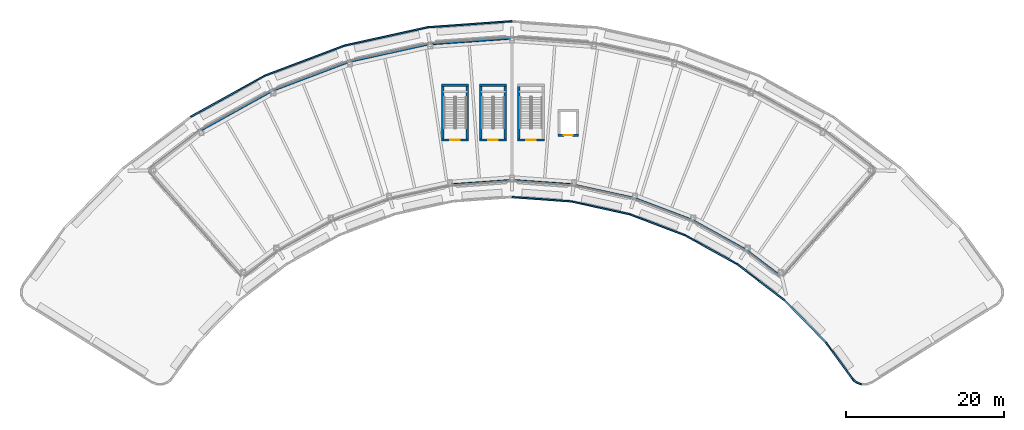
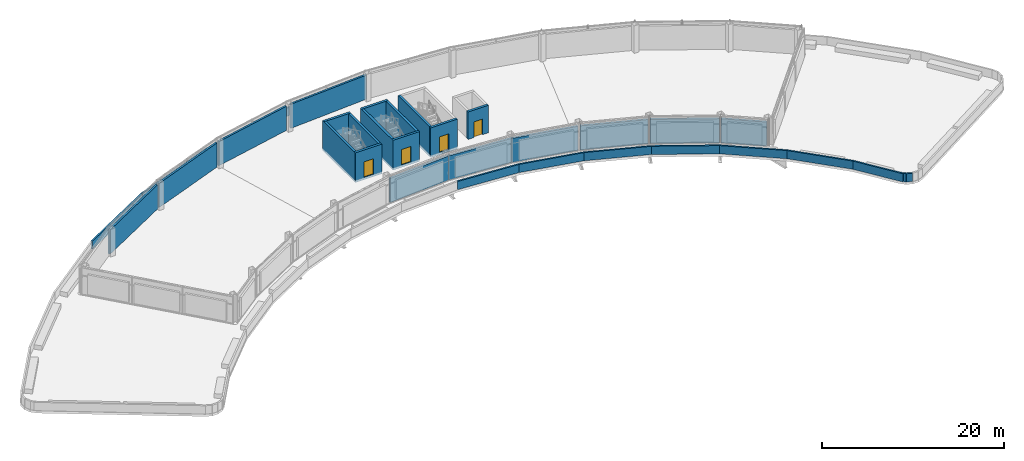
# One storey, part 14 of 17: 34 walls, 4 doors, 4 openings.
"""IFC4 building model written with IfcOpenShell, lengths in metres."""

from ifc_helpers import new_model, si_unit, direction, frame, frame_2d, origin, place, context, subcontext, project, spatial, rectangle, extrude, material, layer, layer_set, type_object, element, fill, save


model = new_model("IFC4")

# Units and contexts
model_context = context("Model", 3, precision=1e-05, world=origin(), true_north=direction((0.0, 1.0)))
body_context = subcontext(model_context, "Body", "Model", "MODEL_VIEW")
ifc_project = project(units=[si_unit("LENGTHUNIT", "METRE"), si_unit("AREAUNIT", "SQUARE_METRE"), si_unit("VOLUMEUNIT", "CUBIC_METRE"), si_unit("PLANEANGLEUNIT", "RADIAN"), si_unit("MASSUNIT", "GRAM", prefix="KILO")], contexts=[model_context])

# Site, building, storey
site_placement = place(None, origin())
site = spatial("IfcSite", under=ifc_project, at=site_placement, CompositionType="ELEMENT")
building_placement = place(site_placement, origin())
building = spatial("IfcBuilding", under=site, at=building_placement, Name="Tuul Gate Civic Tower", CompositionType="ELEMENT")
storey_placement = place(building_placement, frame((0.0, 0.0, 360.10009765625)))
storey = spatial("IfcBuildingStorey", under=building, at=storey_placement, Name="Crown tier 1 lower", CompositionType="ELEMENT", Elevation=360.10009765625)

# Walls
ifc_material_1 = material(Name="Concrete C50/60", Category="concrete")
ifc_layer_1 = layer(ifc_material_1, 0.300048828125)
ifc_layer_set_1 = layer_set([ifc_layer_1], Name="Concrete C50/60")
wall_type_1 = type_object("IfcWallType", Name="Core wall C50/60", PredefinedType="SHEAR", material=ifc_layer_set_1)
for number, where, z_axis, x_axis, name in (
    (1, (-3.449951171875, -0.89990234375, -0.300048828125), (0.0, 0.0, 1.0), (0.0, 1.0, 0.0), "Core wall"),
    (2, (-6.550048828125, 6.300048828125, -0.300048828125), (0.0, 0.0, 1.0), (0.0, -1.0, 0.0), "Core wall"),
):
    element("IfcWall", number, at=place(storey_placement, frame(where, z_axis=z_axis, x_axis=x_axis)), inside=storey, type_object=wall_type_1, Name=name, PredefinedType="SHEAR", context=body_context, shape_type="SweptSolid", body=[
        extrude(rectangle(XDim=7.199951171875, YDim=0.300048828125, at=frame_2d((3.60009765625, 0.0))), origin(), (0.0, 0.0, 1.0), 4.0),
    ])
wall_1_placement = place(storey_placement, frame((-3.300048828125, 6.14990234375, -0.300048828125), z_axis=(0.0, 0.0, 1.0), x_axis=(-1.0, 0.0, 0.0)))
element("IfcWall", 3, at=wall_1_placement, inside=storey, type_object=wall_type_1, Name="Core wall", PredefinedType="SHEAR", context=body_context, shape_type="SweptSolid", body=[
    extrude(rectangle(XDim=3.39990234375, YDim=0.300048828125, at=frame_2d((1.699951171875, 0.0))), origin(), (0.0, 0.0, 1.0), 4.0),
])

# Wall, opening, door
wall_2_placement = place(storey_placement, frame((-3.300048828125, -0.75, -0.300048828125), z_axis=(0.0, 0.0, 1.0), x_axis=(-1.0, 0.0, 0.0)))
wall_2 = element("IfcWall", 4, at=wall_2_placement, inside=storey, type_object=wall_type_1, Name="Core wall", PredefinedType="SHEAR", context=body_context, shape_type="SweptSolid", body=[
    extrude(rectangle(XDim=3.39990234375, YDim=0.300048828125, at=frame_2d((1.699951171875, 0.0))), origin(), (0.0, 0.0, 1.0), 4.0),
])
opening_1_placement = place(wall_2_placement, frame((1.10009765625, 0.0, 0.300048828125)))
opening_1 = element("IfcOpeningElement", 5, at=opening_1_placement, cuts=wall_2, Name="Opening SD-ST-5", PredefinedType="OPENING", context=body_context, shape_type="SweptSolid", body=[
    extrude(rectangle(XDim=1.199951171875, YDim=2.10009765625, at=frame_2d((0.60009765625, 1.050048828125))), frame((0.0, 0.16015625, 0.0), z_axis=(0.0, -1.0, 0.0), x_axis=(1.0, 0.0, 0.0)), (0.0, 0.0, 1.0), 0.320068359375),
])
ifc_material_2 = material(Name="Steel", Category="steel")
door_type_1 = type_object("IfcDoorType", Name="Stair door", OperationType="NOTDEFINED", PredefinedType="DOOR", material=ifc_material_2)
door_1_placement = place(opening_1_placement, origin())
door_1 = element("IfcDoor", 6, at=door_1_placement, inside=storey, type_object=door_type_1, Name="Stair door ST-5", OperationType="SINGLE_SWING_LEFT", OverallHeight=2.10009765625, OverallWidth=1.199951171875, PredefinedType="DOOR", context=body_context, shape_type="SweptSolid", body=[
    extrude(rectangle(XDim=1.199951171875, YDim=2.10009765625, at=frame_2d((0.60009765625, 1.050048828125))), frame((0.0, 0.02490234375, 0.0), z_axis=(0.0, -1.0, 0.0), x_axis=(1.0, 0.0, 0.0)), (0.0, 0.0, 1.0), 0.050048828125),
])
fill(opening_1, door_1)

# Walls
for number, where, z_axis, x_axis, name in (
    (7, (1.35009765625, -0.89990234375, -0.300048828125), (0.0, 0.0, 1.0), (0.0, 1.0, 0.0), "Core wall"),
    (8, (-1.75, 6.300048828125, -0.300048828125), (0.0, 0.0, 1.0), (0.0, -1.0, 0.0), "Core wall"),
):
    element("IfcWall", number, at=place(storey_placement, frame(where, z_axis=z_axis, x_axis=x_axis)), inside=storey, type_object=wall_type_1, Name=name, PredefinedType="SHEAR", context=body_context, shape_type="SweptSolid", body=[
        extrude(rectangle(XDim=7.199951171875, YDim=0.300048828125, at=frame_2d((3.60009765625, 0.0))), origin(), (0.0, 0.0, 1.0), 4.0),
    ])
wall_3_placement = place(storey_placement, frame((1.5, 6.14990234375, -0.300048828125), z_axis=(0.0, 0.0, 1.0), x_axis=(-1.0, 0.0, 0.0)))
element("IfcWall", 9, at=wall_3_placement, inside=storey, type_object=wall_type_1, Name="Core wall", PredefinedType="SHEAR", context=body_context, shape_type="SweptSolid", body=[
    extrude(rectangle(XDim=3.39990234375, YDim=0.300048828125, at=frame_2d((1.699951171875, 0.0))), origin(), (0.0, 0.0, 1.0), 4.0),
])

# Wall, opening, door
wall_4_placement = place(storey_placement, frame((1.5, -0.75, -0.300048828125), z_axis=(0.0, 0.0, 1.0), x_axis=(-1.0, 0.0, 0.0)))
wall_4 = element("IfcWall", 10, at=wall_4_placement, inside=storey, type_object=wall_type_1, Name="Core wall", PredefinedType="SHEAR", context=body_context, shape_type="SweptSolid", body=[
    extrude(rectangle(XDim=3.39990234375, YDim=0.300048828125, at=frame_2d((1.699951171875, 0.0))), origin(), (0.0, 0.0, 1.0), 4.0),
])
opening_2_placement = place(wall_4_placement, frame((1.10009765625, 0.0, 0.300048828125)))
opening_2 = element("IfcOpeningElement", 11, at=opening_2_placement, cuts=wall_4, Name="Opening SD-ST-6", PredefinedType="OPENING", context=body_context, shape_type="SweptSolid", body=[
    extrude(rectangle(XDim=1.199951171875, YDim=2.10009765625, at=frame_2d((0.60009765625, 1.050048828125))), frame((0.0, 0.16015625, 0.0), z_axis=(0.0, -1.0, 0.0), x_axis=(1.0, 0.0, 0.0)), (0.0, 0.0, 1.0), 0.320068359375),
])
door_2_placement = place(opening_2_placement, origin())
door_2 = element("IfcDoor", 12, at=door_2_placement, inside=storey, type_object=door_type_1, Name="Stair door ST-6", OperationType="SINGLE_SWING_LEFT", OverallHeight=2.10009765625, OverallWidth=1.199951171875, PredefinedType="DOOR", context=body_context, shape_type="SweptSolid", body=[
    extrude(rectangle(XDim=1.199951171875, YDim=2.10009765625, at=frame_2d((0.60009765625, 1.050048828125))), frame((0.0, 0.02490234375, 0.0), z_axis=(0.0, -1.0, 0.0), x_axis=(1.0, 0.0, 0.0)), (0.0, 0.0, 1.0), 0.050048828125),
])
fill(opening_2, door_2)

# Wall
wall_5_placement = place(storey_placement, frame((3.050048828125, 6.300048828125, -0.300048828125), z_axis=(0.0, 0.0, 1.0), x_axis=(0.0, -1.0, 0.0)))
element("IfcWall", 13, at=wall_5_placement, inside=storey, type_object=wall_type_1, Name="Core wall", PredefinedType="SHEAR", context=body_context, shape_type="SweptSolid", body=[
    extrude(rectangle(XDim=7.199951171875, YDim=0.300048828125, at=frame_2d((3.60009765625, 0.0))), origin(), (0.0, 0.0, 1.0), 4.0),
])

# Wall, opening, door
wall_6_placement = place(storey_placement, frame((6.300048828125, -0.75, -0.300048828125), z_axis=(0.0, 0.0, 1.0), x_axis=(-1.0, 0.0, 0.0)))
wall_6 = element("IfcWall", 14, at=wall_6_placement, inside=storey, type_object=wall_type_1, Name="Core wall", PredefinedType="SHEAR", context=body_context, shape_type="SweptSolid", body=[
    extrude(rectangle(XDim=3.400146484375, YDim=0.300048828125, at=frame_2d((1.7001953125, 0.0))), origin(), (0.0, 0.0, 1.0), 4.0),
])
opening_3_placement = place(wall_6_placement, frame((1.10009765625, 0.0, 0.300048828125)))
opening_3 = element("IfcOpeningElement", 15, at=opening_3_placement, cuts=wall_6, Name="Opening SD-ST-7", PredefinedType="OPENING", context=body_context, shape_type="SweptSolid", body=[
    extrude(rectangle(XDim=1.199951171875, YDim=2.10009765625, at=frame_2d((0.60009765625, 1.050048828125))), frame((0.0, 0.16015625, 0.0), z_axis=(0.0, -1.0, 0.0), x_axis=(1.0, 0.0, 0.0)), (0.0, 0.0, 1.0), 0.320068359375),
])
door_3_placement = place(opening_3_placement, origin())
door_3 = element("IfcDoor", 16, at=door_3_placement, inside=storey, type_object=door_type_1, Name="Stair door ST-7", OperationType="SINGLE_SWING_LEFT", OverallHeight=2.10009765625, OverallWidth=1.199951171875, PredefinedType="DOOR", context=body_context, shape_type="SweptSolid", body=[
    extrude(rectangle(XDim=1.199951171875, YDim=2.10009765625, at=frame_2d((0.60009765625, 1.050048828125))), frame((0.0, 0.02490234375, 0.0), z_axis=(0.0, -1.0, 0.0), x_axis=(1.0, 0.0, 0.0)), (0.0, 0.0, 1.0), 0.050048828125),
])
fill(opening_3, door_3)

wall_7_placement = place(storey_placement, frame((10.60009765625, -0.14990234375, 0.0), z_axis=(0.0, 0.0, 1.0), x_axis=(-1.0, 0.0, 0.0)))
wall_7 = element("IfcWall", 17, at=wall_7_placement, inside=storey, type_object=wall_type_1, Name="Core wall", PredefinedType="SHEAR", context=body_context, shape_type="SweptSolid", body=[
    extrude(rectangle(XDim=2.60009765625, YDim=0.300048828125, at=frame_2d((1.300048828125, 0.0))), origin(), (0.0, 0.0, 1.0), 3.699951171875),
])
opening_4_placement = place(wall_7_placement, frame((0.75, 0.0, 0.0)))
opening_4 = element("IfcOpeningElement", 18, at=opening_4_placement, cuts=wall_7, Name="Opening LD-X4", PredefinedType="OPENING", context=body_context, shape_type="SweptSolid", body=[
    extrude(rectangle(XDim=1.10009765625, YDim=2.10009765625, at=frame_2d((0.550048828125, 1.050048828125))), frame((0.0, 0.16015625, 0.0), z_axis=(0.0, -1.0, 0.0), x_axis=(1.0, 0.0, 0.0)), (0.0, 0.0, 1.0), 0.320068359375),
])
ifc_material_3 = material(Name="Stainless steel", Category="steel")
door_type_2 = type_object("IfcDoorType", Name="Landing door", OperationType="DOUBLE_DOOR_SLIDING", PredefinedType="DOOR", material=ifc_material_3)
door_4_placement = place(opening_4_placement, origin())
door_4 = element("IfcDoor", 19, at=door_4_placement, inside=storey, type_object=door_type_2, Name="Crown lift X4 landing door", OperationType="DOUBLE_DOOR_SLIDING", OverallHeight=2.10009765625, OverallWidth=1.10009765625, PredefinedType="DOOR", context=body_context, shape_type="SweptSolid", body=[
    extrude(rectangle(XDim=1.10009765625, YDim=2.10009765625, at=frame_2d((0.550048828125, 1.050048828125))), frame((0.0, 0.02490234375, 0.0), z_axis=(0.0, -1.0, 0.0), x_axis=(1.0, 0.0, 0.0)), (0.0, 0.0, 1.0), 0.050048828125),
])
fill(opening_4, door_4)

# Walls
ifc_material_4 = material(Name="Concrete C40/50", Category="concrete")
ifc_layer_2 = layer(ifc_material_4, 0.199951171875)
ifc_layer_set_2 = layer_set([ifc_layer_2], Name="Concrete C40/50")
wall_type_2 = type_object("IfcWallType", Name="Crown parapet", PredefinedType="PARAPET", material=ifc_layer_set_2)
wall_8_placement = place(storey_placement, frame((2.19189453125, 14.278564453125, 0.0), z_axis=(0.0, 0.0, 1.0), x_axis=(-0.997391463689, -0.072182187278, 0.0)))
element("IfcWall", 20, at=wall_8_placement, inside=storey, type_object=wall_type_2, Name="Parapet", PredefinedType="PARAPET", context=body_context, shape_type="SweptSolid", body=[
    extrude(rectangle(XDim=10.7421875, YDim=0.199951171875, at=frame_2d((5.37109375, 0.0))), origin(), (0.0, 0.0, 1.0), 1.099853515625),
])
wall_9_placement = place(storey_placement, frame((-8.522216796875, 13.503173828125, 0.0), z_axis=(0.0, 0.0, 1.0), x_axis=(-0.976561510253, -0.215238511173, 0.0)))
element("IfcWall", 21, at=wall_9_placement, inside=storey, type_object=wall_type_2, Name="Parapet", PredefinedType="PARAPET", context=body_context, shape_type="SweptSolid", body=[
    extrude(rectangle(XDim=10.74267578125, YDim=0.199951171875, at=frame_2d((5.371337890625, 0.0))), origin(), (0.0, 0.0, 1.0), 1.099853515625),
])
wall_10_placement = place(storey_placement, frame((-19.01318359375, 11.19091796875, 0.0), z_axis=(0.0, 0.0, 1.0), x_axis=(-0.935374053612, -0.353659977704, 0.0)))
element("IfcWall", 22, at=wall_10_placement, inside=storey, type_object=wall_type_2, Name="Parapet", PredefinedType="PARAPET", context=body_context, shape_type="SweptSolid", body=[
    extrude(rectangle(XDim=10.742919921875, YDim=0.199951171875, at=frame_2d((5.37158203125, 0.0))), origin(), (0.0, 0.0, 1.0), 1.099853515625),
])
wall_11_placement = place(storey_placement, frame((-29.061767578125, 7.3916015625, 0.0), z_axis=(0.0, 0.0, 1.0), x_axis=(-0.874590032694, -0.484863150499, 0.0)))
element("IfcWall", 23, at=wall_11_placement, inside=storey, type_object=wall_type_2, Name="Parapet", PredefinedType="PARAPET", context=body_context, shape_type="SweptSolid", body=[
    extrude(rectangle(XDim=10.7421875, YDim=0.199951171875, at=frame_2d((5.37109375, 0.0))), origin(), (0.0, 0.0, 1.0), 1.099853515625),
])
wall_12_placement = place(storey_placement, frame((2.19189453125, -7.9794921875, 0.0), z_axis=(0.0, 0.0, 1.0), x_axis=(0.997387404699, -0.072238251277, 0.0)))
element("IfcWall", 24, at=wall_12_placement, inside=storey, type_object=wall_type_2, Name="Parapet", PredefinedType="PARAPET", context=body_context, shape_type="SweptSolid", body=[
    extrude(rectangle(XDim=7.526611328125, YDim=0.199951171875, at=frame_2d((3.76318359375, 0.0))), origin(), (0.0, 0.0, 1.0), 1.099853515625),
])
wall_13_placement = place(storey_placement, frame((9.69873046875, -8.523193359375, 0.0), z_axis=(0.0, 0.0, 1.0), x_axis=(0.97657171355, -0.215192212439, 0.0)))
element("IfcWall", 25, at=wall_13_placement, inside=storey, type_object=wall_type_2, Name="Parapet", PredefinedType="PARAPET", context=body_context, shape_type="SweptSolid", body=[
    extrude(rectangle(XDim=7.5263671875, YDim=0.199951171875, at=frame_2d((3.76318359375, 0.0))), origin(), (0.0, 0.0, 1.0), 1.099853515625),
])
wall_14_placement = place(storey_placement, frame((17.048828125, -10.142822265625, 0.0), z_axis=(0.0, 0.0, 1.0), x_axis=(0.93534311635, -0.353741790995, 0.0)))
element("IfcWall", 26, at=wall_14_placement, inside=storey, type_object=wall_type_2, Name="Parapet", PredefinedType="PARAPET", context=body_context, shape_type="SweptSolid", body=[
    extrude(rectangle(XDim=7.52685546875, YDim=0.199951171875, at=frame_2d((3.763427734375, 0.0))), origin(), (0.0, 0.0, 1.0), 1.099853515625),
])
wall_15_placement = place(storey_placement, frame((24.089111328125, -12.805419921875, 0.0), z_axis=(0.0, 0.0, 1.0), x_axis=(0.874638814648, -0.484775147786, 0.0)))
element("IfcWall", 27, at=wall_15_placement, inside=storey, type_object=wall_type_2, Name="Parapet", PredefinedType="PARAPET", context=body_context, shape_type="SweptSolid", body=[
    extrude(rectangle(XDim=7.526611328125, YDim=0.199951171875, at=frame_2d((3.76318359375, 0.0))), origin(), (0.0, 0.0, 1.0), 1.099853515625),
])
wall_16_placement = place(storey_placement, frame((30.672119140625, -16.4541015625, 0.0), z_axis=(0.0, 0.0, 1.0), x_axis=(0.795650592846, -0.605755837036, 0.0)))
element("IfcWall", 28, at=wall_16_placement, inside=storey, type_object=wall_type_2, Name="Parapet", PredefinedType="PARAPET", context=body_context, shape_type="SweptSolid", body=[
    extrude(rectangle(XDim=7.5263671875, YDim=0.199951171875, at=frame_2d((3.76318359375, 0.0))), origin(), (0.0, 0.0, 1.0), 1.099853515625),
])
wall_17_placement = place(storey_placement, frame((36.660400390625, -21.01318359375, 0.0), z_axis=(0.0, 0.0, 1.0), x_axis=(0.699951084503, -0.714190786347, 0.0)))
element("IfcWall", 29, at=wall_17_placement, inside=storey, type_object=wall_type_2, Name="Parapet", PredefinedType="PARAPET", context=body_context, shape_type="SweptSolid", body=[
    extrude(rectangle(XDim=7.526611328125, YDim=0.199951171875, at=frame_2d((3.76318359375, 0.0))), origin(), (0.0, 0.0, 1.0), 1.099853515625),
])
wall_18_placement = place(storey_placement, frame((41.9287109375, -26.388916015625, 0.0), z_axis=(0.0, 0.0, 1.0), x_axis=(0.589835486131, -0.80752343576, 0.0)))
element("IfcWall", 30, at=wall_18_placement, inside=storey, type_object=wall_type_2, Name="Parapet", PredefinedType="PARAPET", context=body_context, shape_type="SweptSolid", body=[
    extrude(rectangle(XDim=6.050537109375, YDim=0.199951171875, at=frame_2d((3.025390625, 0.0))), origin(), (0.0, 0.0, 1.0), 1.099853515625),
])
wall_19_placement = place(storey_placement, frame((45.255859375, -30.944091796875, 0.0), z_axis=(0.0, 0.0, 1.0), x_axis=(0.730176325427, -0.68325876049, 0.0)))
element("IfcWall", 31, at=wall_19_placement, inside=storey, type_object=wall_type_2, Name="Parapet", PredefinedType="PARAPET", context=body_context, shape_type="SweptSolid", body=[
    extrude(rectangle(XDim=0.702392578125, YDim=0.199951171875, at=frame_2d((0.35107421875, 0.0))), origin(), (0.0, 0.0, 1.0), 1.099853515625),
])
wall_20_placement = place(storey_placement, frame((45.768798828125, -31.424072265625, 0.0), z_axis=(0.0, 0.0, 1.0), x_axis=(0.929355422999, -0.369186264293, 0.0)))
element("IfcWall", 32, at=wall_20_placement, inside=storey, type_object=wall_type_2, Name="Parapet", PredefinedType="PARAPET", context=body_context, shape_type="SweptSolid", body=[
    extrude(rectangle(XDim=0.687744140625, YDim=0.199951171875, at=frame_2d((0.34375, 0.0))), origin(), (0.0, 0.0, 1.0), 1.099853515625),
])
ifc_material_5 = material(Name="Precast concrete C40/50", Category="concrete")
ifc_layer_3 = layer(ifc_material_5, 0.25)
ifc_layer_set_3 = layer_set([ifc_layer_3], Name="Precast concrete C40/50")
wall_type_3 = type_object("IfcWallType", Name="External wall", PredefinedType="STANDARD", material=ifc_layer_set_3)
wall_21_placement = place(storey_placement, frame((2.19189453125, 12.126220703125, 0.0), z_axis=(0.0, 0.0, 1.0), x_axis=(-0.997546138444, -0.070012153773, 0.0)))
element("IfcWall", 33, at=wall_21_placement, inside=storey, type_object=wall_type_3, Name="External wall", PredefinedType="STANDARD", context=body_context, shape_type="SweptSolid", body=[
    extrude(rectangle(XDim=10.088134765625, YDim=0.25, at=frame_2d((5.0439453125, 0.0))), origin(), (0.0, 0.0, 1.0), 3.25),
])
wall_22_placement = place(storey_placement, frame((-8.468017578125, 11.33935546875, 0.0), z_axis=(0.0, 0.0, 1.0), x_axis=(-0.976557253487, -0.215257823696, 0.0)))
element("IfcWall", 34, at=wall_22_placement, inside=storey, type_object=wall_type_3, Name="External wall", PredefinedType="STANDARD", context=body_context, shape_type="SweptSolid", body=[
    extrude(rectangle(XDim=10.124755859375, YDim=0.25, at=frame_2d((5.0625, 0.0))), origin(), (0.0, 0.0, 1.0), 3.25),
])
wall_23_placement = place(storey_placement, frame((-18.613037109375, 9.0703125, 0.0), z_axis=(0.0, 0.0, 1.0), x_axis=(-0.935362965706, -0.353689302051, 0.0)))
element("IfcWall", 35, at=wall_23_placement, inside=storey, type_object=wall_type_3, Name="External wall", PredefinedType="STANDARD", context=body_context, shape_type="SweptSolid", body=[
    extrude(rectangle(XDim=10.161376953125, YDim=0.25, at=frame_2d((5.08056640625, 0.0))), origin(), (0.0, 0.0, 1.0), 3.25),
])
wall_24_placement = place(storey_placement, frame((-28.3291015625, 5.367431640625, 0.0), z_axis=(0.0, 0.0, 1.0), x_axis=(-0.874625750292, -0.484798717949, 0.0)))
element("IfcWall", 36, at=wall_24_placement, inside=storey, type_object=wall_type_3, Name="External wall", PredefinedType="STANDARD", context=body_context, shape_type="SweptSolid", body=[
    extrude(rectangle(XDim=10.192626953125, YDim=0.25, at=frame_2d((5.09619140625, 0.0))), origin(), (0.0, 0.0, 1.0), 3.25),
])
wall_25_placement = place(storey_placement, frame((-5.524658203125, -6.412841796875, 0.0), z_axis=(0.0, 0.0, 1.0), x_axis=(0.997535806618, 0.070159208343, 0.0)))
element("IfcWall", 37, at=wall_25_placement, inside=storey, type_object=wall_type_3, Name="External wall", PredefinedType="STANDARD", context=body_context, shape_type="SweptSolid", body=[
    extrude(rectangle(XDim=7.735595703125, YDim=0.25, at=frame_2d((3.86767578125, 0.0))), origin(), (0.0, 0.0, 1.0), 3.25),
])
wall_26_placement = place(storey_placement, frame((2.19189453125, -5.8701171875, 0.0), z_axis=(0.0, 0.0, 1.0), x_axis=(0.997535961962, -0.070156999603, 0.0)))
element("IfcWall", 38, at=wall_26_placement, inside=storey, type_object=wall_type_3, Name="External wall", PredefinedType="STANDARD", context=body_context, shape_type="SweptSolid", body=[
    extrude(rectangle(XDim=7.73583984375, YDim=0.25, at=frame_2d((3.867919921875, 0.0))), origin(), (0.0, 0.0, 1.0), 3.25),
])
wall_27_placement = place(storey_placement, frame((9.90869140625, -6.412841796875, 0.0), z_axis=(0.0, 0.0, 1.0), x_axis=(0.977090923428, -0.212822290551, 0.0)))
element("IfcWall", 39, at=wall_27_placement, inside=storey, type_object=wall_type_3, Name="External wall", PredefinedType="STANDARD", context=body_context, shape_type="SweptSolid", body=[
    extrude(rectangle(XDim=7.718017578125, YDim=0.25, at=frame_2d((3.85888671875, 0.0))), origin(), (0.0, 0.0, 1.0), 3.25),
])
wall_28_placement = place(storey_placement, frame((17.721435546875, -8.125244140625, 0.0), z_axis=(0.0, 0.0, 1.0), x_axis=(0.935336881656, -0.353758275967, 0.0)))
element("IfcWall", 40, at=wall_28_placement, inside=storey, type_object=wall_type_3, Name="External wall", PredefinedType="STANDARD", context=body_context, shape_type="SweptSolid", body=[
    extrude(rectangle(XDim=7.591552734375, YDim=0.25, at=frame_2d((3.7958984375, 0.0))), origin(), (0.0, 0.0, 1.0), 3.25),
])
wall_29_placement = place(storey_placement, frame((25.045166015625, -10.90576171875, 0.0), z_axis=(0.0, 0.0, 1.0), x_axis=(0.87462952543, -0.484791907159, 0.0)))
element("IfcWall", 41, at=wall_29_placement, inside=storey, type_object=wall_type_3, Name="External wall", PredefinedType="STANDARD", context=body_context, shape_type="SweptSolid", body=[
    extrude(rectangle(XDim=7.6259765625, YDim=0.25, at=frame_2d((3.81298828125, 0.0))), origin(), (0.0, 0.0, 1.0), 3.25),
])
wall_30_placement = place(storey_placement, frame((31.891357421875, -14.7119140625, 0.0), z_axis=(0.0, 0.0, 1.0), x_axis=(0.795659653805, -0.605743935427, 0.0)))
element("IfcWall", 42, at=wall_30_placement, inside=storey, type_object=wall_type_3, Name="External wall", PredefinedType="STANDARD", context=body_context, shape_type="SweptSolid", body=[
    extrude(rectangle(XDim=5.039306640625, YDim=0.25, at=frame_2d((2.51953125, 0.0))), origin(), (0.0, 0.0, 1.0), 3.25),
])

save(model, "model.ifc")
